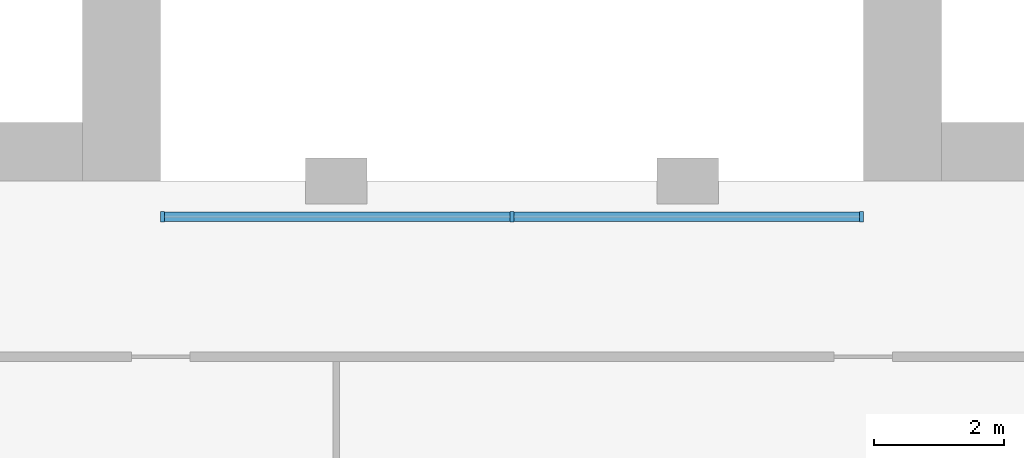
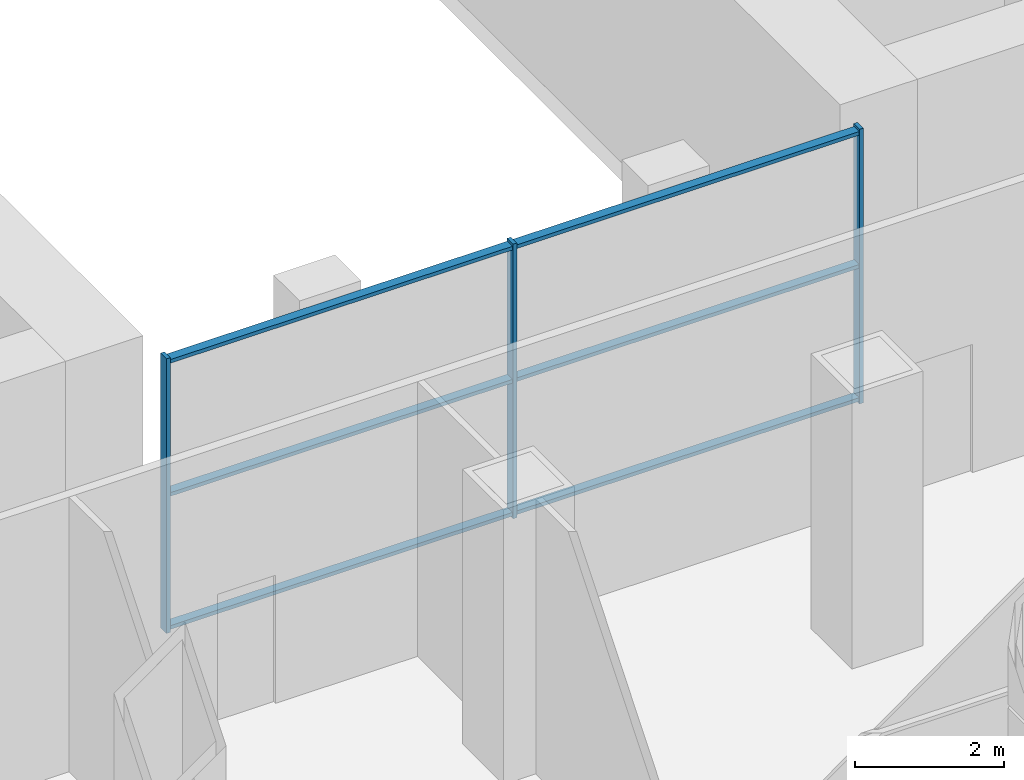
# One storey, part 3 of 15: 9 members, 1 element without a shape of its own.
"""IFC4 building model written with IfcOpenShell, lengths in metres."""

from ifc_helpers import new_model, si_unit, direction, frame, origin, origin_2d, place, context, subcontext, project, spatial, rectangle, extrude, material, material_profile, profile_set, type_object, element, aggregate, save


model = new_model("IFC4")

# Units and contexts
model_context = context("Model", 3, precision=1e-05, world=origin(), true_north=direction((0.0, 1.0)))
body_context = subcontext(model_context, "Body", "Model", "MODEL_VIEW")
ifc_project = project(units=[si_unit("LENGTHUNIT", "METRE"), si_unit("AREAUNIT", "SQUARE_METRE"), si_unit("VOLUMEUNIT", "CUBIC_METRE"), si_unit("PLANEANGLEUNIT", "RADIAN"), si_unit("MASSUNIT", "GRAM", prefix="KILO")], contexts=[model_context])

# Site, building, storey
site_placement = place(None, origin())
site = spatial("IfcSite", under=ifc_project, at=site_placement, CompositionType="ELEMENT")
building_placement = place(site_placement, origin())
building = spatial("IfcBuilding", under=site, at=building_placement, Name="Tabaq Tower and Sports Hall", CompositionType="ELEMENT")
storey_placement = place(building_placement, frame((0.0, 0.0, 143.199951171875)))
storey = spatial("IfcBuildingStorey", under=building, at=storey_placement, Name="L33", CompositionType="ELEMENT", Elevation=143.199951171875)

# Curtain wall, members
ifc_material_1 = material(Name="Aluminium alloy 6063-T6 framed glazing", Category="aluminium")
curtain_wall_type = type_object("IfcCurtainWallType", Name="CW1 curtain wall", PredefinedType="USERDEFINED", material=ifc_material_1)
curtain_wall_placement = place(storey_placement, origin())
curtain_wall = element("IfcCurtainWall", 1, at=curtain_wall_placement, inside=storey, type_object=curtain_wall_type, Name="Atrium glazing L33 S", ObjectType="ATRIUM ENCLOSURE", PredefinedType="USERDEFINED")
ifc_material_2 = material(Name="Aluminium alloy 6063-T6", Category="aluminium")
ifc_material_profile_1 = material_profile(ifc_material_2, rectangle(XDim=0.159912109375, YDim=0.06005859375, at=origin_2d()), Name="MULLION 160x60")
ifc_profile_set_1 = profile_set([ifc_material_profile_1], Name="Aluminium alloy 6063-T6")
member_type_1 = type_object("IfcMemberType", Name="CW1 mullion 160x60", PredefinedType="MULLION", material=ifc_profile_set_1)
member_1_placement = place(storey_placement, frame((18.929931640625, 15.64990234375, 0.0), z_axis=(0.0, 0.0, 1.0), x_axis=(0.0, 1.0, 0.0)))
member_1 = element("IfcMember", 2, at=member_1_placement, type_object=member_type_1, Name="CW1 mullion 1", PredefinedType="MULLION", context=body_context, shape_type="SweptSolid", body=[
    extrude(rectangle(XDim=0.159912109375, YDim=0.06005859375, at=origin_2d()), origin(), (0.0, 0.0, 1.0), 4.5),
])
member_2_placement = place(storey_placement, frame((24.300048828125, 15.64990234375, 0.0), z_axis=(0.0, 0.0, 1.0), x_axis=(0.0, 1.0, 0.0)))
member_2 = element("IfcMember", 3, at=member_2_placement, type_object=member_type_1, Name="CW1 mullion 2", PredefinedType="MULLION", context=body_context, shape_type="SweptSolid", body=[
    extrude(rectangle(XDim=0.159912109375, YDim=0.06005859375, at=origin_2d()), origin(), (0.0, 0.0, 1.0), 4.5),
])
member_3_placement = place(storey_placement, frame((29.669921875, 15.64990234375, 0.0), z_axis=(0.0, 0.0, 1.0), x_axis=(0.0, 1.0, 0.0)))
member_3 = element("IfcMember", 4, at=member_3_placement, type_object=member_type_1, Name="CW1 mullion 3", PredefinedType="MULLION", context=body_context, shape_type="SweptSolid", body=[
    extrude(rectangle(XDim=0.159912109375, YDim=0.06005859375, at=origin_2d()), origin(), (0.0, 0.0, 1.0), 4.5),
])
ifc_material_3 = material(Name="Aluminium alloy 6063-T6", Category="aluminium")
ifc_material_profile_2 = material_profile(ifc_material_3, rectangle(XDim=0.139892578125, YDim=0.06005859375, at=origin_2d()), Name="TRANSOM 140x60")
ifc_profile_set_2 = profile_set([ifc_material_profile_2], Name="Aluminium alloy 6063-T6")
member_type_2 = type_object("IfcMemberType", Name="CW1 transom 140x60", PredefinedType="USERDEFINED", material=ifc_profile_set_2)
member_4_placement = place(storey_placement, frame((18.9599609375, 15.64990234375, 0.070068359375), z_axis=(1.0, 0.0, 0.0), x_axis=(0.0, 1.0, 0.0)))
member_4 = element("IfcMember", 5, at=member_4_placement, type_object=member_type_2, Name="CW1 transom 1.1", ObjectType="TRANSOM", PredefinedType="USERDEFINED", context=body_context, shape_type="SweptSolid", body=[
    extrude(rectangle(XDim=0.139892578125, YDim=0.06005859375, at=origin_2d()), origin(), (0.0, 0.0, 1.0), 5.31005859375),
])
member_5_placement = place(storey_placement, frame((18.9599609375, 15.64990234375, 2.25), z_axis=(1.0, 0.0, 0.0), x_axis=(0.0, 1.0, 0.0)))
member_5 = element("IfcMember", 6, at=member_5_placement, type_object=member_type_2, Name="CW1 transom 1.2", ObjectType="TRANSOM", PredefinedType="USERDEFINED", context=body_context, shape_type="SweptSolid", body=[
    extrude(rectangle(XDim=0.139892578125, YDim=0.06005859375, at=origin_2d()), origin(), (0.0, 0.0, 1.0), 5.31005859375),
])
member_6_placement = place(storey_placement, frame((18.9599609375, 15.64990234375, 4.429931640625), z_axis=(1.0, 0.0, 0.0), x_axis=(0.0, 1.0, 0.0)))
member_6 = element("IfcMember", 7, at=member_6_placement, type_object=member_type_2, Name="CW1 transom 1.3", ObjectType="TRANSOM", PredefinedType="USERDEFINED", context=body_context, shape_type="SweptSolid", body=[
    extrude(rectangle(XDim=0.139892578125, YDim=0.06005859375, at=origin_2d()), origin(), (0.0, 0.0, 1.0), 5.31005859375),
])
member_7_placement = place(storey_placement, frame((24.330078125, 15.64990234375, 0.070068359375), z_axis=(1.0, 0.0, 0.0), x_axis=(0.0, 1.0, 0.0)))
member_7 = element("IfcMember", 8, at=member_7_placement, type_object=member_type_2, Name="CW1 transom 2.1", ObjectType="TRANSOM", PredefinedType="USERDEFINED", context=body_context, shape_type="SweptSolid", body=[
    extrude(rectangle(XDim=0.139892578125, YDim=0.06005859375, at=origin_2d()), origin(), (0.0, 0.0, 1.0), 5.309814453125),
])
member_8_placement = place(storey_placement, frame((24.330078125, 15.64990234375, 2.25), z_axis=(1.0, 0.0, 0.0), x_axis=(0.0, 1.0, 0.0)))
member_8 = element("IfcMember", 9, at=member_8_placement, type_object=member_type_2, Name="CW1 transom 2.2", ObjectType="TRANSOM", PredefinedType="USERDEFINED", context=body_context, shape_type="SweptSolid", body=[
    extrude(rectangle(XDim=0.139892578125, YDim=0.06005859375, at=origin_2d()), origin(), (0.0, 0.0, 1.0), 5.309814453125),
])
member_9_placement = place(storey_placement, frame((24.330078125, 15.64990234375, 4.429931640625), z_axis=(1.0, 0.0, 0.0), x_axis=(0.0, 1.0, 0.0)))
member_9 = element("IfcMember", 10, at=member_9_placement, type_object=member_type_2, Name="CW1 transom 2.3", ObjectType="TRANSOM", PredefinedType="USERDEFINED", context=body_context, shape_type="SweptSolid", body=[
    extrude(rectangle(XDim=0.139892578125, YDim=0.06005859375, at=origin_2d()), origin(), (0.0, 0.0, 1.0), 5.309814453125),
])
aggregate(curtain_wall, [member_1, member_2, member_3, member_4, member_5, member_6, member_7, member_8, member_9])

save(model, "model.ifc")
